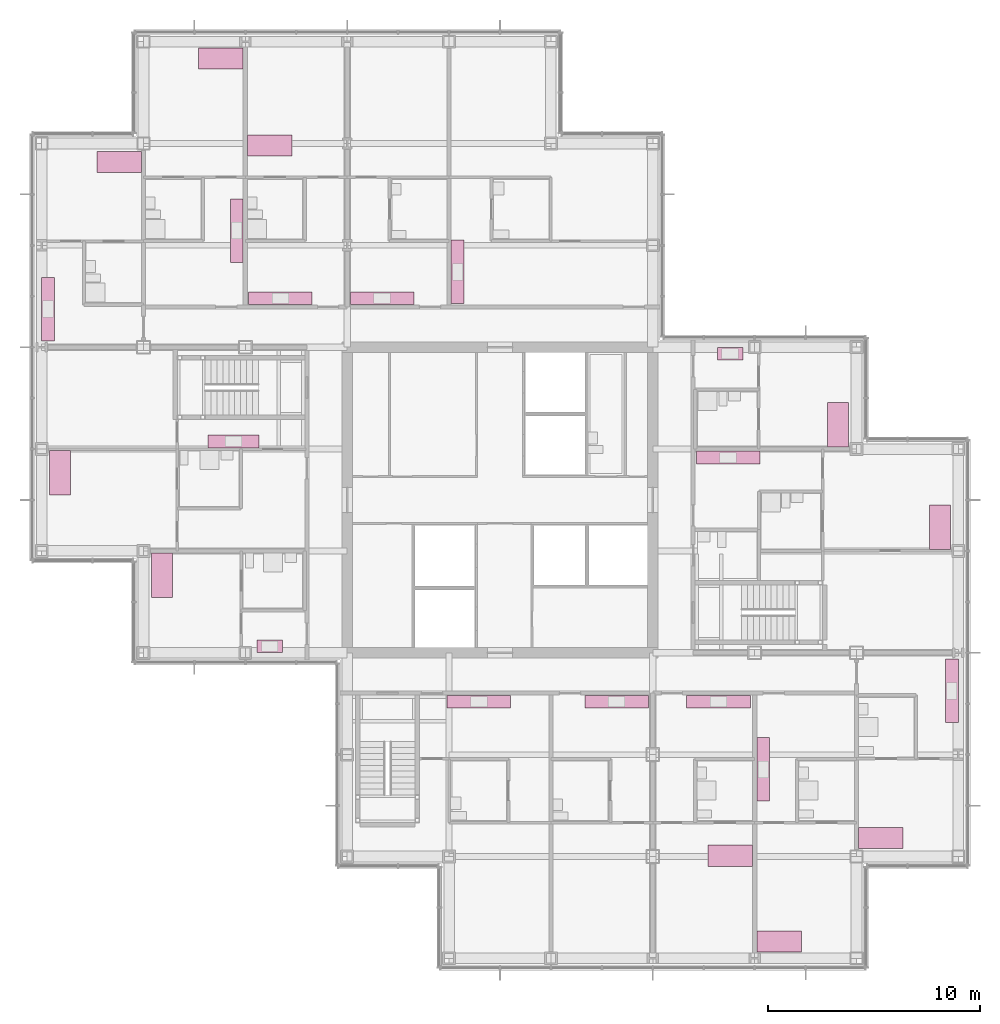
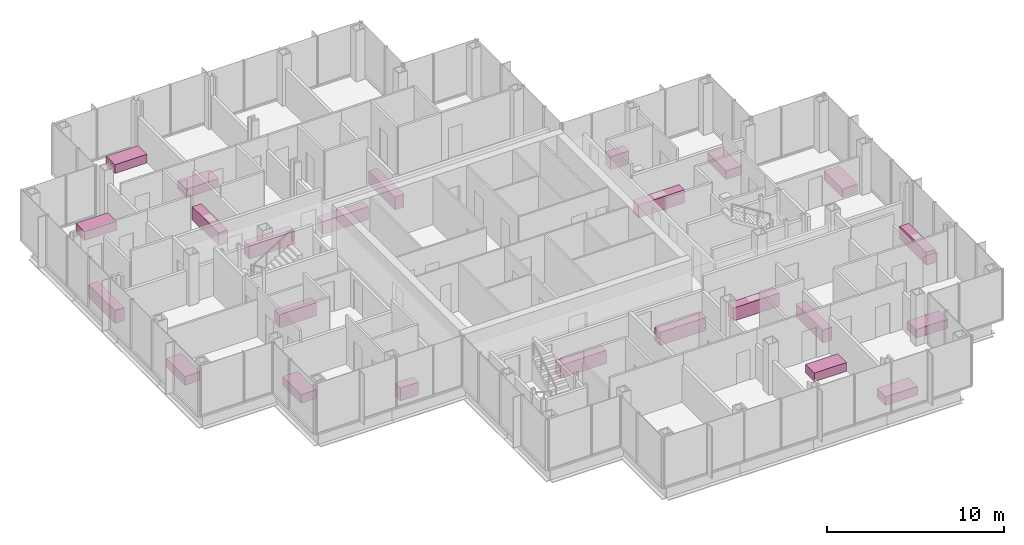
# One storey, part 20 of 20: 24 furniture elements.
"""IFC4 building model written with IfcOpenShell, lengths in metres."""

from ifc_helpers import new_model, si_unit, direction, frame, origin, origin_2d, place, context, subcontext, project, spatial, rectangle, extrude, material, type_object, element, save


model = new_model("IFC4")

# Units and contexts
model_context = context("Model", 3, precision=1e-05, world=origin(), true_north=direction((0.0, 1.0)))
body_context = subcontext(model_context, "Body", "Model", "MODEL_VIEW")
ifc_project = project(units=[si_unit("LENGTHUNIT", "METRE"), si_unit("AREAUNIT", "SQUARE_METRE"), si_unit("VOLUMEUNIT", "CUBIC_METRE"), si_unit("PLANEANGLEUNIT", "RADIAN"), si_unit("MASSUNIT", "GRAM", prefix="KILO")], contexts=[model_context])

# Site, building, storey
site_placement = place(None, origin())
site = spatial("IfcSite", under=ifc_project, at=site_placement, CompositionType="ELEMENT")
building_placement = place(site_placement, origin())
building = spatial("IfcBuilding", under=site, at=building_placement, Name="Kvirike Care Tower", CompositionType="ELEMENT")
storey_placement = place(building_placement, frame((0.0, 0.0, 112.0)))
storey = spatial("IfcBuildingStorey", under=building, at=storey_placement, Name="L30", CompositionType="ELEMENT", Elevation=112.0)

# Furniture
ifc_material_1 = material(Name="Steel frame", Category="steel")
furniture_type_1 = type_object("IfcFurnitureType", Name="CARE BED 1000 x 2100", AssemblyPlace="FACTORY", PredefinedType="BED", material=ifc_material_1)
for number, where, z_axis, x_axis, name in (
    (1, (0.8701171875, 37.2880859375, 0.0), (0.0, 0.0, 1.0), (1.0, 0.0, 0.0), "Care bed L30-004"),
    (2, (5.669921875, 32.447998046875, 0.0), (0.0, 0.0, 1.0), (1.0, 0.0, 0.0), "Care bed L30-008"),
    (3, (10.751953125, 52.7099609375, 0.0), (0.0, 0.0, 1.0), (0.0, 1.0, 0.0), "Care bed L30-012"),
    (4, (8.447998046875, 56.805908203125, 0.0), (0.0, 0.0, 1.0), (0.0, -1.0, 0.0), "Care bed L30-015"),
    (5, (3.64794921875, 51.929931640625, 0.0), (0.0, 0.0, 1.0), (0.0, -1.0, 0.0), "Care bed L30-018"),
    (6, (32.447998046875, 19.239990234375, 0.0), (0.0, 0.0, 1.0), (0.0, -1.0, 0.0), "Care bed L30-037"),
    (7, (34.751953125, 15.194091796875, 0.0), (0.0, 0.0, 1.0), (0.0, 1.0, 0.0), "Care bed L30-040"),
    (8, (39.552001953125, 20.070068359375, 0.0), (0.0, 0.0, 1.0), (0.0, 1.0, 0.0), "Care bed L30-043"),
    (9, (42.330078125, 34.7119140625, 0.0), (0.0, 0.0, 1.0), (-1.0, 0.0, 0.0), "Care bed L30-049"),
    (10, (37.530029296875, 39.552001953125, 0.0), (0.0, 0.0, 1.0), (-1.0, 0.0, 0.0), "Care bed L30-053"),
):
    element("IfcFurniture", number, at=place(storey_placement, frame(where, z_axis=z_axis, x_axis=x_axis)), inside=storey, type_object=furniture_type_1, Name=name, PredefinedType="BED", context=body_context, shape_type="SweptSolid", body=[
        extrude(rectangle(XDim=1.0, YDim=2.10009765625, at=origin_2d()), origin(), (0.0, 0.0, 1.0), 0.60009765625),
    ])
ifc_material_2 = material(Name="Laminated board", Category="wood")
furniture_type_2 = type_object("IfcFurnitureType", Name="KITCHEN UNIT RUN 600", AssemblyPlace="FACTORY", PredefinedType="USERDEFINED", material=ifc_material_2)
furniture_1_placement = place(storey_placement, frame((9.050048828125, 38.761962890625, 0.0), z_axis=(0.0, 0.0, 1.0), x_axis=(-1.0, 0.0, 0.0)))
element("IfcFurniture", 11, at=furniture_1_placement, inside=storey, type_object=furniture_type_2, Name="Kitchen unit run L30-006", ObjectType="KITCHEN UNIT", PredefinedType="USERDEFINED", context=body_context, shape_type="SweptSolid", body=[
    extrude(rectangle(XDim=2.39990234375, YDim=0.60009765625, at=origin_2d()), origin(), (0.0, 0.0, 1.0), 0.89990234375),
])
furniture_2_placement = place(storey_placement, frame((10.75, 29.10205078125, 0.0), z_axis=(0.0, 0.0, 1.0), x_axis=(-1.0, 0.0, 0.0)))
element("IfcFurniture", 12, at=furniture_2_placement, inside=storey, type_object=furniture_type_2, Name="Kitchen unit run L30-010", ObjectType="KITCHEN UNIT", PredefinedType="USERDEFINED", context=body_context, shape_type="SweptSolid", body=[
    extrude(rectangle(XDim=1.199951171875, YDim=0.60009765625, at=origin_2d()), origin(), (0.0, 0.0, 1.0), 0.89990234375),
])
for number, where, z_axis, x_axis, name in (
    (13, (11.25, 45.501953125, 0.0), (0.0, 0.0, 1.0), (-1.0, 0.0, 0.0), "Kitchen unit run L30-014"),
    (14, (9.197998046875, 48.68994140625, 0.0), (0.0, 0.0, 1.0), (0.0, -1.0, 0.0), "Kitchen unit run L30-017"),
    (15, (0.302001953125, 44.993896484375, 0.0), (0.0, 0.0, 1.0), (0.0, 1.0, 0.0), "Kitchen unit run L30-020"),
    (16, (20.60009765625, 26.498046875, 0.0), (0.0, 0.0, 1.0), (1.0, 0.0, 0.0), "Kitchen unit run L30-025"),
    (17, (27.10009765625, 26.498046875, 0.0), (0.0, 0.0, 1.0), (1.0, 0.0, 0.0), "Kitchen unit run L30-028"),
    (18, (19.60205078125, 46.75, 0.0), (0.0, 0.0, 1.0), (0.0, 1.0, 0.0), "Kitchen unit run L30-032"),
    (19, (16.050048828125, 45.501953125, 0.0), (0.0, 0.0, 1.0), (-1.0, 0.0, 0.0), "Kitchen unit run L30-035"),
    (20, (31.89990234375, 26.498046875, 0.0), (0.0, 0.0, 1.0), (1.0, 0.0, 0.0), "Kitchen unit run L30-039"),
    (21, (34.001953125, 23.31005859375, 0.0), (0.0, 0.0, 1.0), (0.0, 1.0, 0.0), "Kitchen unit run L30-042"),
    (22, (42.89794921875, 27.006103515625, 0.0), (0.0, 0.0, 1.0), (0.0, -1.0, 0.0), "Kitchen unit run L30-045"),
    (23, (32.35009765625, 37.998046875, 0.0), (0.0, 0.0, 1.0), (1.0, 0.0, 0.0), "Kitchen unit run L30-052"),
):
    element("IfcFurniture", number, at=place(storey_placement, frame(where, z_axis=z_axis, x_axis=x_axis)), inside=storey, type_object=furniture_type_2, Name=name, ObjectType="KITCHEN UNIT", PredefinedType="USERDEFINED", context=body_context, shape_type="SweptSolid", body=[
        extrude(rectangle(XDim=3.0, YDim=0.60009765625, at=origin_2d()), origin(), (0.0, 0.0, 1.0), 0.89990234375),
    ])
furniture_3_placement = place(storey_placement, frame((32.449951171875, 42.89794921875, 0.0), z_axis=(0.0, 0.0, 1.0), x_axis=(1.0, 0.0, 0.0)))
element("IfcFurniture", 24, at=furniture_3_placement, inside=storey, type_object=furniture_type_2, Name="Kitchen unit run L30-055", ObjectType="KITCHEN UNIT", PredefinedType="USERDEFINED", context=body_context, shape_type="SweptSolid", body=[
    extrude(rectangle(XDim=1.199951171875, YDim=0.60009765625, at=origin_2d()), origin(), (0.0, 0.0, 1.0), 0.89990234375),
])

save(model, "model.ifc")
